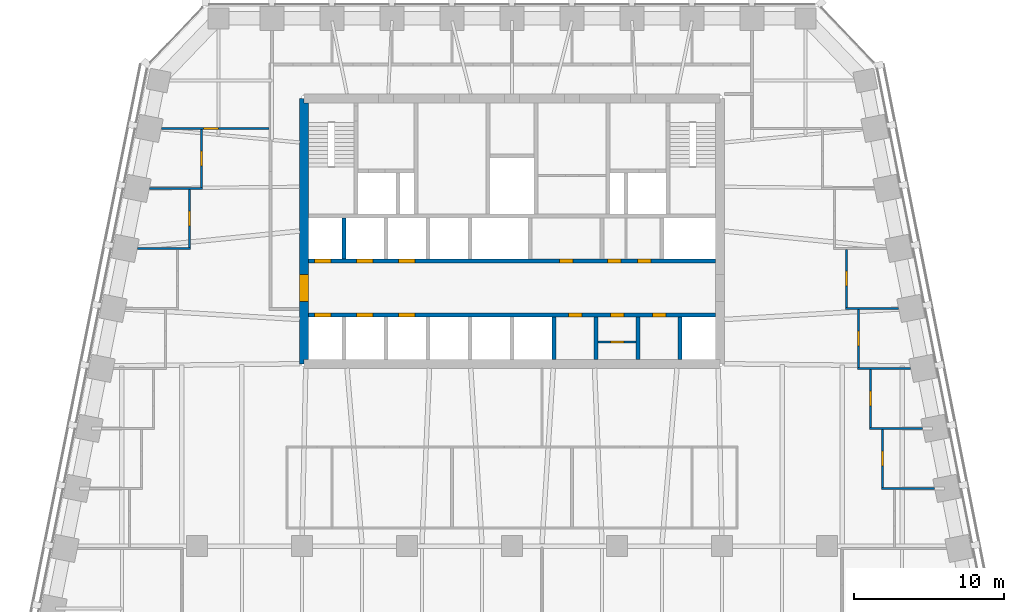
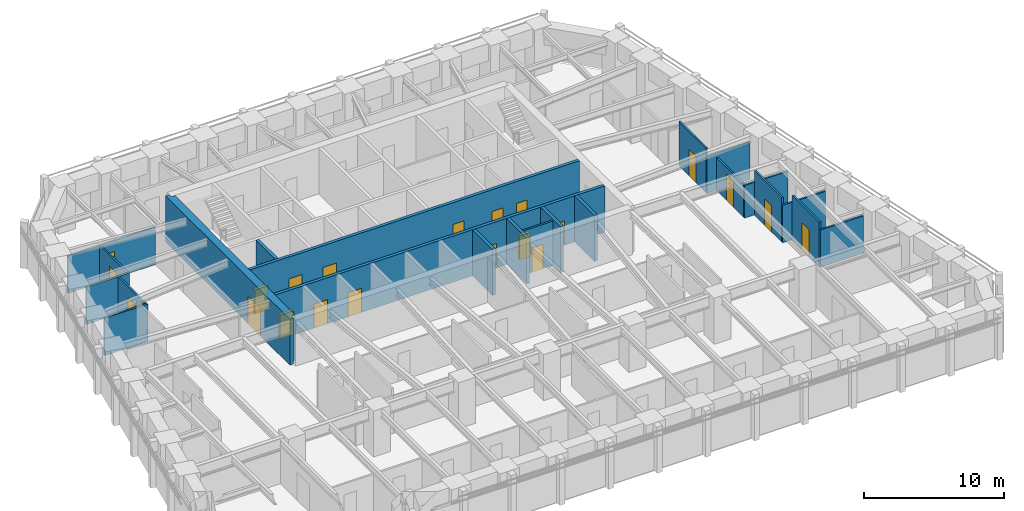
# One storey, part 7 of 11: 22 walls, 21 doors, 21 openings.
"""IFC4 building model written with IfcOpenShell, lengths in metres."""

from ifc_helpers import new_model, si_unit, direction, frame, frame_2d, origin, place, context, subcontext, project, spatial, polyline, rectangle, outline, extrude, material, layer, layer_set, type_object, element, fill, save


model = new_model("IFC4")

# Units and contexts
model_context = context("Model", 3, precision=1e-05, world=origin(), true_north=direction((0.0, 1.0)))
body_context = subcontext(model_context, "Body", "Model", "MODEL_VIEW")
ifc_project = project(units=[si_unit("LENGTHUNIT", "METRE"), si_unit("AREAUNIT", "SQUARE_METRE"), si_unit("VOLUMEUNIT", "CUBIC_METRE"), si_unit("PLANEANGLEUNIT", "RADIAN"), si_unit("MASSUNIT", "GRAM", prefix="KILO")], contexts=[model_context])

# Site, building, storey
site_placement = place(None, origin())
site = spatial("IfcSite", under=ifc_project, at=site_placement, CompositionType="ELEMENT")
building_placement = place(site_placement, origin())
building = spatial("IfcBuilding", under=site, at=building_placement, Name="Isbrekke Arena Tower", CompositionType="ELEMENT")
storey_placement = place(building_placement, frame((0.0, 0.0, 210.0)))
storey = spatial("IfcBuildingStorey", under=building, at=storey_placement, Name="L48", CompositionType="ELEMENT", Elevation=210.0)

# Wall, opening, door
ifc_material_1 = material(Name="Concrete B55 (C55/67)", Category="concrete")
ifc_layer_1 = layer(ifc_material_1, 0.60009765625)
ifc_layer_set_1 = layer_set([ifc_layer_1], Name="CW4 CORE WALL 600")
wall_type_1 = type_object("IfcWallType", Name="CW4 CORE WALL 600", PredefinedType="SHEAR", material=ifc_layer_set_1)
wall_1_placement = place(storey_placement, frame((-13.85009765625, 23.85009765625, 0.0), z_axis=(0.0, 0.0, 1.0), x_axis=(0.0, -1.0, 0.0)))
wall_1 = element("IfcWall", 1, at=wall_1_placement, inside=storey, type_object=wall_type_1, Name="Core wall W L48", PredefinedType="SHEAR", context=body_context, shape_type="SweptSolid", body=[
    extrude(outline(polyline([(0.0, -0.300048828125), (17.7001953125, -0.300048828125), (17.7001953125, 0.0), (17.400146484375, 0.0), (17.400146484375, 0.300048828125), (0.300048828125, 0.300048828125), (0.300048828125, 0.0), (0.0, 0.0), (0.0, -0.300048828125)])), origin(), (0.0, 0.0, 1.0), 4.0),
])
opening_1_placement = place(wall_1_placement, frame((11.75, 0.0, 0.0)))
opening_1 = element("IfcOpeningElement", 2, at=opening_1_placement, cuts=wall_1, Name="Opening D1", PredefinedType="OPENING", context=body_context, shape_type="SweptSolid", body=[
    extrude(rectangle(XDim=1.800048828125, YDim=2.39990234375, at=frame_2d((0.89990234375, 1.199951171875))), frame((0.0, 0.31494140625, 0.0), z_axis=(0.0, -1.0, 0.0), x_axis=(1.0, 0.0, 0.0)), (0.0, 0.0, 1.0), 0.6298828125),
])
ifc_material_2 = material(Name="Steel-framed glazed fire door", Category="steel")
door_type_1 = type_object("IfcDoorType", Name="D1 CORE LOBBY DOOR 1800 x 2400", OperationType="DOUBLE_DOOR_SINGLE_SWING", PredefinedType="DOOR", material=ifc_material_2)
door_1_placement = place(opening_1_placement, origin())
door_1 = element("IfcDoor", 3, at=door_1_placement, inside=storey, type_object=door_type_1, Name="D1 lift lobby door west L48", OperationType="DOUBLE_DOOR_SINGLE_SWING", OverallHeight=2.39990234375, OverallWidth=1.800048828125, PredefinedType="DOOR", context=body_context, shape_type="SweptSolid", body=[
    extrude(rectangle(XDim=1.800048828125, YDim=2.39990234375, at=frame_2d((0.89990234375, 1.199951171875))), frame((0.0, 0.2998046875, 0.0), z_axis=(0.0, -1.0, 0.0), x_axis=(1.0, 0.0, 0.0)), (0.0, 0.0, 1.0), 0.599609375),
])
fill(opening_1, door_1)

# Wall, openings, doors
ifc_material_3 = material(Name="Concrete B45 (C45/55)", Category="concrete")
ifc_layer_2 = layer(ifc_material_3, 0.25)
ifc_layer_set_2 = layer_set([ifc_layer_2], Name="CW6 SHAFT WALL 250")
wall_type_2 = type_object("IfcWallType", Name="CW6 SHAFT WALL 250", PredefinedType="SHEAR", material=ifc_layer_set_2)
wall_2_placement = place(storey_placement, frame((-13.550048828125, 9.39990234375, 0.0), z_axis=(0.0, 0.0, 1.0), x_axis=(1.0, 0.0, 0.0)))
wall_2 = element("IfcWall", 4, at=wall_2_placement, inside=storey, type_object=wall_type_2, Name="Core wall LS L48", PredefinedType="SHEAR", context=body_context, shape_type="SweptSolid", body=[
    extrude(rectangle(XDim=27.10009765625, YDim=0.25, at=frame_2d((13.550048828125, 0.0))), origin(), (0.0, 0.0, 1.0), 4.0),
])
opening_2_placement = place(wall_2_placement, frame((0.39990234375, 0.0, 0.0)))
opening_2 = element("IfcOpeningElement", 5, at=opening_2_placement, cuts=wall_2, Name="Opening LD1", PredefinedType="OPENING", context=body_context, shape_type="SweptSolid", body=[
    extrude(rectangle(XDim=1.10009765625, YDim=2.10009765625, at=frame_2d((0.550048828125, 1.050048828125))), frame((0.0, 0.139892578125, 0.0), z_axis=(0.0, -1.0, 0.0), x_axis=(1.0, 0.0, 0.0)), (0.0, 0.0, 1.0), 0.27978515625),
])
opening_3_placement = place(wall_2_placement, frame((3.199951171875, 0.0, 0.0)))
opening_3 = element("IfcOpeningElement", 6, at=opening_3_placement, cuts=wall_2, Name="Opening LD1", PredefinedType="OPENING", context=body_context, shape_type="SweptSolid", body=[
    extrude(rectangle(XDim=1.10009765625, YDim=2.10009765625, at=frame_2d((0.550048828125, 1.050048828125))), frame((0.0, 0.139892578125, 0.0), z_axis=(0.0, -1.0, 0.0), x_axis=(1.0, 0.0, 0.0)), (0.0, 0.0, 1.0), 0.27978515625),
])
opening_4_placement = place(wall_2_placement, frame((6.0, 0.0, 0.0)))
opening_4 = element("IfcOpeningElement", 7, at=opening_4_placement, cuts=wall_2, Name="Opening LD1", PredefinedType="OPENING", context=body_context, shape_type="SweptSolid", body=[
    extrude(rectangle(XDim=1.10009765625, YDim=2.10009765625, at=frame_2d((0.550048828125, 1.050048828125))), frame((0.0, 0.139892578125, 0.0), z_axis=(0.0, -1.0, 0.0), x_axis=(1.0, 0.0, 0.0)), (0.0, 0.0, 1.0), 0.27978515625),
])
opening_5_placement = place(wall_2_placement, frame((17.300048828125, 0.0, 0.0)))
opening_5 = element("IfcOpeningElement", 8, at=opening_5_placement, cuts=wall_2, Name="Opening D5", PredefinedType="OPENING", context=body_context, shape_type="SweptSolid", body=[
    extrude(rectangle(XDim=0.89990234375, YDim=2.10009765625, at=frame_2d((0.449951171875, 1.050048828125))), frame((0.0, 0.139892578125, 0.0), z_axis=(0.0, -1.0, 0.0), x_axis=(1.0, 0.0, 0.0)), (0.0, 0.0, 1.0), 0.27978515625),
])
opening_6_placement = place(wall_2_placement, frame((20.10009765625, 0.0, 0.0)))
opening_6 = element("IfcOpeningElement", 9, at=opening_6_placement, cuts=wall_2, Name="Opening D5", PredefinedType="OPENING", context=body_context, shape_type="SweptSolid", body=[
    extrude(rectangle(XDim=0.89990234375, YDim=2.10009765625, at=frame_2d((0.449951171875, 1.050048828125))), frame((0.0, 0.139892578125, 0.0), z_axis=(0.0, -1.0, 0.0), x_axis=(1.0, 0.0, 0.0)), (0.0, 0.0, 1.0), 0.27978515625),
])
opening_7_placement = place(wall_2_placement, frame((22.89990234375, 0.0, 0.0)))
opening_7 = element("IfcOpeningElement", 10, at=opening_7_placement, cuts=wall_2, Name="Opening D5", PredefinedType="OPENING", context=body_context, shape_type="SweptSolid", body=[
    extrude(rectangle(XDim=0.89990234375, YDim=2.10009765625, at=frame_2d((0.449951171875, 1.050048828125))), frame((0.0, 0.139892578125, 0.0), z_axis=(0.0, -1.0, 0.0), x_axis=(1.0, 0.0, 0.0)), (0.0, 0.0, 1.0), 0.27978515625),
])
ifc_material_4 = material(Name="Steel fire door", Category="steel")
door_type_2 = type_object("IfcDoorType", Name="D5 SERVICE DOOR 900 x 2100", OperationType="SINGLE_SWING_LEFT", PredefinedType="DOOR", material=ifc_material_4)
door_2_placement = place(opening_5_placement, origin())
door_2 = element("IfcDoor", 11, at=door_2_placement, inside=storey, type_object=door_type_2, Name="D5 archive door L48", OperationType="SINGLE_SWING_LEFT", OverallHeight=2.10009765625, OverallWidth=0.89990234375, PredefinedType="DOOR", context=body_context, shape_type="SweptSolid", body=[
    extrude(rectangle(XDim=0.89990234375, YDim=2.10009765625, at=frame_2d((0.449951171875, 1.050048828125))), frame((0.0, 0.124755859375, 0.0), z_axis=(0.0, -1.0, 0.0), x_axis=(1.0, 0.0, 0.0)), (0.0, 0.0, 1.0), 0.24951171875),
])
fill(opening_5, door_2)
door_3_placement = place(opening_6_placement, origin())
door_3 = element("IfcDoor", 12, at=door_3_placement, inside=storey, type_object=door_type_2, Name="D5 mothers' room door L48", OperationType="SINGLE_SWING_LEFT", OverallHeight=2.10009765625, OverallWidth=0.89990234375, PredefinedType="DOOR", context=body_context, shape_type="SweptSolid", body=[
    extrude(rectangle(XDim=0.89990234375, YDim=2.10009765625, at=frame_2d((0.449951171875, 1.050048828125))), frame((0.0, 0.124755859375, 0.0), z_axis=(0.0, -1.0, 0.0), x_axis=(1.0, 0.0, 0.0)), (0.0, 0.0, 1.0), 0.24951171875),
])
fill(opening_6, door_3)
door_4_placement = place(opening_7_placement, origin())
door_4 = element("IfcDoor", 13, at=door_4_placement, inside=storey, type_object=door_type_2, Name="D5 technical room door L48", OperationType="SINGLE_SWING_LEFT", OverallHeight=2.10009765625, OverallWidth=0.89990234375, PredefinedType="DOOR", context=body_context, shape_type="SweptSolid", body=[
    extrude(rectangle(XDim=0.89990234375, YDim=2.10009765625, at=frame_2d((0.449951171875, 1.050048828125))), frame((0.0, 0.124755859375, 0.0), z_axis=(0.0, -1.0, 0.0), x_axis=(1.0, 0.0, 0.0)), (0.0, 0.0, 1.0), 0.24951171875),
])
fill(opening_7, door_4)
ifc_material_5 = material(Name="Stainless steel lift landing door", Category="steel")
door_type_3 = type_object("IfcDoorType", Name="LD1 LIFT LANDING DOOR 1100 x 2100", OperationType="SLIDING_TO_LEFT", PredefinedType="DOOR", material=ifc_material_5)
door_5_placement = place(opening_2_placement, origin())
door_5 = element("IfcDoor", 14, at=door_5_placement, inside=storey, type_object=door_type_3, Name="LD1 lift landing door LC L48", OperationType="SLIDING_TO_LEFT", OverallHeight=2.10009765625, OverallWidth=1.10009765625, PredefinedType="DOOR", context=body_context, shape_type="SweptSolid", body=[
    extrude(rectangle(XDim=1.10009765625, YDim=2.10009765625, at=frame_2d((0.550048828125, 1.050048828125))), frame((0.0, 0.124755859375, 0.0), z_axis=(0.0, -1.0, 0.0), x_axis=(1.0, 0.0, 0.0)), (0.0, 0.0, 1.0), 0.24951171875),
])
fill(opening_2, door_5)
door_6_placement = place(opening_3_placement, origin())
door_6 = element("IfcDoor", 15, at=door_6_placement, inside=storey, type_object=door_type_3, Name="LD1 lift landing door LC L48", OperationType="SLIDING_TO_LEFT", OverallHeight=2.10009765625, OverallWidth=1.10009765625, PredefinedType="DOOR", context=body_context, shape_type="SweptSolid", body=[
    extrude(rectangle(XDim=1.10009765625, YDim=2.10009765625, at=frame_2d((0.550048828125, 1.050048828125))), frame((0.0, 0.124755859375, 0.0), z_axis=(0.0, -1.0, 0.0), x_axis=(1.0, 0.0, 0.0)), (0.0, 0.0, 1.0), 0.24951171875),
])
fill(opening_3, door_6)
door_7_placement = place(opening_4_placement, origin())
door_7 = element("IfcDoor", 16, at=door_7_placement, inside=storey, type_object=door_type_3, Name="LD1 lift landing door LC L48", OperationType="SLIDING_TO_LEFT", OverallHeight=2.10009765625, OverallWidth=1.10009765625, PredefinedType="DOOR", context=body_context, shape_type="SweptSolid", body=[
    extrude(rectangle(XDim=1.10009765625, YDim=2.10009765625, at=frame_2d((0.550048828125, 1.050048828125))), frame((0.0, 0.124755859375, 0.0), z_axis=(0.0, -1.0, 0.0), x_axis=(1.0, 0.0, 0.0)), (0.0, 0.0, 1.0), 0.24951171875),
])
fill(opening_4, door_7)

wall_3_placement = place(storey_placement, frame((-13.550048828125, 13.0, 0.0), z_axis=(0.0, 0.0, 1.0), x_axis=(1.0, 0.0, 0.0)))
wall_3 = element("IfcWall", 17, at=wall_3_placement, inside=storey, type_object=wall_type_2, Name="Core wall LN L48", PredefinedType="SHEAR", context=body_context, shape_type="SweptSolid", body=[
    extrude(rectangle(XDim=27.10009765625, YDim=0.25, at=frame_2d((13.550048828125, 0.0))), origin(), (0.0, 0.0, 1.0), 4.0),
])
opening_8_placement = place(wall_3_placement, frame((0.39990234375, 0.0, 0.0)))
opening_8 = element("IfcOpeningElement", 18, at=opening_8_placement, cuts=wall_3, Name="Opening LD1", PredefinedType="OPENING", context=body_context, shape_type="SweptSolid", body=[
    extrude(rectangle(XDim=1.10009765625, YDim=2.10009765625, at=frame_2d((0.550048828125, 1.050048828125))), frame((0.0, 0.139892578125, 0.0), z_axis=(0.0, -1.0, 0.0), x_axis=(1.0, 0.0, 0.0)), (0.0, 0.0, 1.0), 0.27978515625),
])
opening_9_placement = place(wall_3_placement, frame((3.199951171875, 0.0, 0.0)))
opening_9 = element("IfcOpeningElement", 19, at=opening_9_placement, cuts=wall_3, Name="Opening LD1", PredefinedType="OPENING", context=body_context, shape_type="SweptSolid", body=[
    extrude(rectangle(XDim=1.10009765625, YDim=2.10009765625, at=frame_2d((0.550048828125, 1.050048828125))), frame((0.0, 0.139892578125, 0.0), z_axis=(0.0, -1.0, 0.0), x_axis=(1.0, 0.0, 0.0)), (0.0, 0.0, 1.0), 0.27978515625),
])
opening_10_placement = place(wall_3_placement, frame((6.0, 0.0, 0.0)))
opening_10 = element("IfcOpeningElement", 20, at=opening_10_placement, cuts=wall_3, Name="Opening LD1", PredefinedType="OPENING", context=body_context, shape_type="SweptSolid", body=[
    extrude(rectangle(XDim=1.10009765625, YDim=2.10009765625, at=frame_2d((0.550048828125, 1.050048828125))), frame((0.0, 0.139892578125, 0.0), z_axis=(0.0, -1.0, 0.0), x_axis=(1.0, 0.0, 0.0)), (0.0, 0.0, 1.0), 0.27978515625),
])
opening_11_placement = place(wall_3_placement, frame((16.699951171875, 0.0, 0.0)))
opening_11 = element("IfcOpeningElement", 21, at=opening_11_placement, cuts=wall_3, Name="Opening D5", PredefinedType="OPENING", context=body_context, shape_type="SweptSolid", body=[
    extrude(rectangle(XDim=0.89990234375, YDim=2.10009765625, at=frame_2d((0.449951171875, 1.050048828125))), frame((0.0, 0.139892578125, 0.0), z_axis=(0.0, -1.0, 0.0), x_axis=(1.0, 0.0, 0.0)), (0.0, 0.0, 1.0), 0.27978515625),
])
opening_12_placement = place(wall_3_placement, frame((19.89990234375, 0.0, 0.0)))
opening_12 = element("IfcOpeningElement", 22, at=opening_12_placement, cuts=wall_3, Name="Opening D5", PredefinedType="OPENING", context=body_context, shape_type="SweptSolid", body=[
    extrude(rectangle(XDim=0.89990234375, YDim=2.10009765625, at=frame_2d((0.449951171875, 1.050048828125))), frame((0.0, 0.139892578125, 0.0), z_axis=(0.0, -1.0, 0.0), x_axis=(1.0, 0.0, 0.0)), (0.0, 0.0, 1.0), 0.27978515625),
])
opening_13_placement = place(wall_3_placement, frame((21.89990234375, 0.0, 0.0)))
opening_13 = element("IfcOpeningElement", 23, at=opening_13_placement, cuts=wall_3, Name="Opening D5", PredefinedType="OPENING", context=body_context, shape_type="SweptSolid", body=[
    extrude(rectangle(XDim=0.89990234375, YDim=2.10009765625, at=frame_2d((0.449951171875, 1.050048828125))), frame((0.0, 0.139892578125, 0.0), z_axis=(0.0, -1.0, 0.0), x_axis=(1.0, 0.0, 0.0)), (0.0, 0.0, 1.0), 0.27978515625),
])
door_8_placement = place(opening_11_placement, origin())
door_8 = element("IfcDoor", 24, at=door_8_placement, inside=storey, type_object=door_type_2, Name="D5 meeting room door L48", OperationType="SINGLE_SWING_LEFT", OverallHeight=2.10009765625, OverallWidth=0.89990234375, PredefinedType="DOOR", context=body_context, shape_type="SweptSolid", body=[
    extrude(rectangle(XDim=0.89990234375, YDim=2.10009765625, at=frame_2d((0.449951171875, 1.050048828125))), frame((0.0, 0.124755859375, 0.0), z_axis=(0.0, -1.0, 0.0), x_axis=(1.0, 0.0, 0.0)), (0.0, 0.0, 1.0), 0.24951171875),
])
fill(opening_11, door_8)
door_9_placement = place(opening_12_placement, origin())
door_9 = element("IfcDoor", 25, at=door_9_placement, inside=storey, type_object=door_type_2, Name="D5 cleaner's store door L48", OperationType="SINGLE_SWING_LEFT", OverallHeight=2.10009765625, OverallWidth=0.89990234375, PredefinedType="DOOR", context=body_context, shape_type="SweptSolid", body=[
    extrude(rectangle(XDim=0.89990234375, YDim=2.10009765625, at=frame_2d((0.449951171875, 1.050048828125))), frame((0.0, 0.124755859375, 0.0), z_axis=(0.0, -1.0, 0.0), x_axis=(1.0, 0.0, 0.0)), (0.0, 0.0, 1.0), 0.24951171875),
])
fill(opening_12, door_9)
door_10_placement = place(opening_13_placement, origin())
door_10 = element("IfcDoor", 26, at=door_10_placement, inside=storey, type_object=door_type_2, Name="D5 communications room door L48", OperationType="SINGLE_SWING_LEFT", OverallHeight=2.10009765625, OverallWidth=0.89990234375, PredefinedType="DOOR", context=body_context, shape_type="SweptSolid", body=[
    extrude(rectangle(XDim=0.89990234375, YDim=2.10009765625, at=frame_2d((0.449951171875, 1.050048828125))), frame((0.0, 0.124755859375, 0.0), z_axis=(0.0, -1.0, 0.0), x_axis=(1.0, 0.0, 0.0)), (0.0, 0.0, 1.0), 0.24951171875),
])
fill(opening_13, door_10)
door_11_placement = place(opening_8_placement, origin())
door_11 = element("IfcDoor", 27, at=door_11_placement, inside=storey, type_object=door_type_3, Name="LD1 lift landing door LC L48", OperationType="SLIDING_TO_LEFT", OverallHeight=2.10009765625, OverallWidth=1.10009765625, PredefinedType="DOOR", context=body_context, shape_type="SweptSolid", body=[
    extrude(rectangle(XDim=1.10009765625, YDim=2.10009765625, at=frame_2d((0.550048828125, 1.050048828125))), frame((0.0, 0.124755859375, 0.0), z_axis=(0.0, -1.0, 0.0), x_axis=(1.0, 0.0, 0.0)), (0.0, 0.0, 1.0), 0.24951171875),
])
fill(opening_8, door_11)
door_12_placement = place(opening_9_placement, origin())
door_12 = element("IfcDoor", 28, at=door_12_placement, inside=storey, type_object=door_type_3, Name="LD1 lift landing door LC L48", OperationType="SLIDING_TO_LEFT", OverallHeight=2.10009765625, OverallWidth=1.10009765625, PredefinedType="DOOR", context=body_context, shape_type="SweptSolid", body=[
    extrude(rectangle(XDim=1.10009765625, YDim=2.10009765625, at=frame_2d((0.550048828125, 1.050048828125))), frame((0.0, 0.124755859375, 0.0), z_axis=(0.0, -1.0, 0.0), x_axis=(1.0, 0.0, 0.0)), (0.0, 0.0, 1.0), 0.24951171875),
])
fill(opening_9, door_12)
door_13_placement = place(opening_10_placement, origin())
door_13 = element("IfcDoor", 29, at=door_13_placement, inside=storey, type_object=door_type_3, Name="LD1 lift landing door LC L48", OperationType="SLIDING_TO_LEFT", OverallHeight=2.10009765625, OverallWidth=1.10009765625, PredefinedType="DOOR", context=body_context, shape_type="SweptSolid", body=[
    extrude(rectangle(XDim=1.10009765625, YDim=2.10009765625, at=frame_2d((0.550048828125, 1.050048828125))), frame((0.0, 0.124755859375, 0.0), z_axis=(0.0, -1.0, 0.0), x_axis=(1.0, 0.0, 0.0)), (0.0, 0.0, 1.0), 0.24951171875),
])
fill(opening_10, door_13)

# Walls
for number, where, z_axis, x_axis, name in (
    (30, (2.800048828125, 6.449951171875, 0.0), (0.0, 0.0, 1.0), (0.0, 1.0, 0.0), "Core wall SS06 L48"),
    (31, (5.60009765625, 6.449951171875, 0.0), (0.0, 0.0, 1.0), (0.0, 1.0, 0.0), "Core wall SS07 L48"),
    (32, (8.39990234375, 6.449951171875, 0.0), (0.0, 0.0, 1.0), (0.0, 1.0, 0.0), "Core wall SS08 L48"),
    (33, (11.199951171875, 6.449951171875, 0.0), (0.0, 0.0, 1.0), (0.0, 1.0, 0.0), "Core wall SS09 L48"),
):
    element("IfcWall", number, at=place(storey_placement, frame(where, z_axis=z_axis, x_axis=x_axis)), inside=storey, type_object=wall_type_2, Name=name, PredefinedType="SHEAR", context=body_context, shape_type="SweptSolid", body=[
        extrude(rectangle(XDim=2.824951171875, YDim=0.25, at=frame_2d((1.41259765625, 0.0))), origin(), (0.0, 0.0, 1.0), 4.0),
    ])
wall_4_placement = place(storey_placement, frame((-11.199951171875, 13.125, 0.0), z_axis=(0.0, 0.0, 1.0), x_axis=(0.0, 1.0, 0.0)))
element("IfcWall", 34, at=wall_4_placement, inside=storey, type_object=wall_type_2, Name="Core wall SN01 L48", PredefinedType="SHEAR", context=body_context, shape_type="SweptSolid", body=[
    extrude(rectangle(XDim=2.75, YDim=0.25, at=frame_2d((1.375, 0.0))), origin(), (0.0, 0.0, 1.0), 4.0),
])
ifc_material_6 = material(Name="Gypsum board partition on steel studs", Category="steel")
ifc_layer_3 = layer(ifc_material_6, 0.14990234375)
ifc_layer_set_3 = layer_set([ifc_layer_3], Name="IW1 PARTITION 150")
wall_type_3 = type_object("IfcWallType", Name="IW1 PARTITION 150", PredefinedType="PARTITIONING", material=ifc_layer_set_3)
for number, where, z_axis, x_axis, name in (
    (35, (24.625, -2.159912109375, 0.0), (0.0, 0.0, 1.0), (1.0, 0.0, 0.0), "IW1 partition 150 L48"),
    (36, (23.824951171875, 1.840087890625, 0.0), (0.0, 0.0, 1.0), (1.0, 0.0, 0.0), "IW1 partition 150 L48"),
):
    element("IfcWall", number, at=place(storey_placement, frame(where, z_axis=z_axis, x_axis=x_axis)), inside=storey, type_object=wall_type_3, Name=name, PredefinedType="PARTITIONING", context=body_context, shape_type="SweptSolid", body=[
        extrude(rectangle(XDim=3.5498046875, YDim=0.14990234375, at=frame_2d((1.77490234375, 0.0))), origin(), (0.0, 0.0, 1.0), 3.25),
    ])
wall_5_placement = place(storey_placement, frame((23.02490234375, 5.840087890625, 0.0), z_axis=(0.0, 0.0, 1.0), x_axis=(1.0, 0.0, 0.0)))
element("IfcWall", 37, at=wall_5_placement, inside=storey, type_object=wall_type_3, Name="IW1 partition 150 L48", PredefinedType="PARTITIONING", context=body_context, shape_type="SweptSolid", body=[
    extrude(rectangle(XDim=3.5498046875, YDim=0.14990234375, at=frame_2d((1.77490234375, 0.0))), origin(), (0.0, 0.0, 1.0), 2.842041015625),
])
for number, where, z_axis, x_axis, name in (
    (38, (22.22509765625, 9.840087890625, 0.0), (0.0, 0.0, 1.0), (1.0, 0.0, 0.0), "IW1 partition 150 L48"),
    (39, (-24.974853515625, 13.840087890625, 0.0), (0.0, 0.0, 1.0), (1.0, 0.0, 0.0), "IW1 partition 150 L48"),
    (40, (-24.1748046875, 17.840087890625, 0.0), (0.0, 0.0, 1.0), (1.0, 0.0, 0.0), "IW1 partition 150 L48"),
):
    element("IfcWall", number, at=place(storey_placement, frame(where, z_axis=z_axis, x_axis=x_axis)), inside=storey, type_object=wall_type_3, Name=name, PredefinedType="PARTITIONING", context=body_context, shape_type="SweptSolid", body=[
        extrude(rectangle(XDim=3.5498046875, YDim=0.14990234375, at=frame_2d((1.77490234375, 0.0))), origin(), (0.0, 0.0, 1.0), 3.25),
    ])

# Wall, opening, door
wall_6_placement = place(storey_placement, frame((-23.374755859375, 21.840087890625, 0.0), z_axis=(0.0, 0.0, 1.0), x_axis=(1.0, 0.0, 0.0)))
wall_6 = element("IfcWall", 41, at=wall_6_placement, inside=storey, type_object=wall_type_3, Name="IW1 partition 150 L48", PredefinedType="PARTITIONING", context=body_context, shape_type="SweptSolid", body=[
    extrude(rectangle(XDim=7.1748046875, YDim=0.14990234375, at=frame_2d((3.58740234375, 0.0))), origin(), (0.0, 0.0, 1.0), 3.25),
])
opening_14_placement = place(wall_6_placement, frame((2.815673828125, 0.0, 0.0)))
opening_14 = element("IfcOpeningElement", 42, at=opening_14_placement, cuts=wall_6, Name="Opening D10", PredefinedType="OPENING", context=body_context, shape_type="SweptSolid", body=[
    extrude(rectangle(XDim=1.0, YDim=2.300048828125, at=frame_2d((0.5, 1.14990234375))), frame((0.0, 0.08984375, 0.0), z_axis=(0.0, -1.0, 0.0), x_axis=(1.0, 0.0, 0.0)), (0.0, 0.0, 1.0), 0.1796875),
])
ifc_material_7 = material(Name="Timber door", Category="wood")
door_type_4 = type_object("IfcDoorType", Name="D10 OFFICE DOOR 1000 x 2300", OperationType="SINGLE_SWING_LEFT", PredefinedType="DOOR", material=ifc_material_7)
door_14_placement = place(opening_14_placement, origin())
door_14 = element("IfcDoor", 43, at=door_14_placement, inside=storey, type_object=door_type_4, Name="D10 office door L48", OperationType="SINGLE_SWING_LEFT", OverallHeight=2.300048828125, OverallWidth=1.0, PredefinedType="DOOR", context=body_context, shape_type="SweptSolid", body=[
    extrude(rectangle(XDim=1.0, YDim=2.300048828125, at=frame_2d((0.5, 1.14990234375))), frame((0.0, 0.07470703125, 0.0), z_axis=(0.0, -1.0, 0.0), x_axis=(1.0, 0.0, 0.0)), (0.0, 0.0, 1.0), 0.1494140625),
])
fill(opening_14, door_14)

wall_7_placement = place(storey_placement, frame((-21.5, 13.9150390625, 0.0), z_axis=(0.0, 0.0, 1.0), x_axis=(0.0, 1.0, 0.0)))
wall_7 = element("IfcWall", 44, at=wall_7_placement, inside=storey, type_object=wall_type_3, Name="IW1 partition 150 L48", PredefinedType="PARTITIONING", context=body_context, shape_type="SweptSolid", body=[
    extrude(rectangle(XDim=3.849853515625, YDim=0.14990234375, at=frame_2d((1.9248046875, 0.0))), origin(), (0.0, 0.0, 1.0), 3.25),
])
opening_15_placement = place(wall_7_placement, frame((1.425048828125, 0.0, 0.0)))
opening_15 = element("IfcOpeningElement", 45, at=opening_15_placement, cuts=wall_7, Name="Opening D10", PredefinedType="OPENING", context=body_context, shape_type="SweptSolid", body=[
    extrude(rectangle(XDim=1.0, YDim=2.300048828125, at=frame_2d((0.5, 1.14990234375))), frame((0.0, 0.08984375, 0.0), z_axis=(0.0, -1.0, 0.0), x_axis=(1.0, 0.0, 0.0)), (0.0, 0.0, 1.0), 0.1796875),
])
door_15_placement = place(opening_15_placement, origin())
door_15 = element("IfcDoor", 46, at=door_15_placement, inside=storey, type_object=door_type_4, Name="D10 office door L48", OperationType="SINGLE_SWING_LEFT", OverallHeight=2.300048828125, OverallWidth=1.0, PredefinedType="DOOR", context=body_context, shape_type="SweptSolid", body=[
    extrude(rectangle(XDim=1.0, YDim=2.300048828125, at=frame_2d((0.5, 1.14990234375))), frame((0.0, 0.07470703125, 0.0), z_axis=(0.0, -1.0, 0.0), x_axis=(1.0, 0.0, 0.0)), (0.0, 0.0, 1.0), 0.1494140625),
])
fill(opening_15, door_15)

wall_8_placement = place(storey_placement, frame((-20.699951171875, 17.9150390625, 0.0), z_axis=(0.0, 0.0, 1.0), x_axis=(0.0, 1.0, 0.0)))
wall_8 = element("IfcWall", 47, at=wall_8_placement, inside=storey, type_object=wall_type_3, Name="IW1 partition 150 L48", PredefinedType="PARTITIONING", context=body_context, shape_type="SweptSolid", body=[
    extrude(rectangle(XDim=3.849853515625, YDim=0.14990234375, at=frame_2d((1.9248046875, 0.0))), origin(), (0.0, 0.0, 1.0), 3.25),
])
opening_16_placement = place(wall_8_placement, frame((1.425048828125, 0.0, 0.0)))
opening_16 = element("IfcOpeningElement", 48, at=opening_16_placement, cuts=wall_8, Name="Opening D10", PredefinedType="OPENING", context=body_context, shape_type="SweptSolid", body=[
    extrude(rectangle(XDim=1.0, YDim=2.300048828125, at=frame_2d((0.5, 1.14990234375))), frame((0.0, 0.08984375, 0.0), z_axis=(0.0, -1.0, 0.0), x_axis=(1.0, 0.0, 0.0)), (0.0, 0.0, 1.0), 0.1796875),
])
door_16_placement = place(opening_16_placement, origin())
door_16 = element("IfcDoor", 49, at=door_16_placement, inside=storey, type_object=door_type_4, Name="D10 office door L48", OperationType="SINGLE_SWING_LEFT", OverallHeight=2.300048828125, OverallWidth=1.0, PredefinedType="DOOR", context=body_context, shape_type="SweptSolid", body=[
    extrude(rectangle(XDim=1.0, YDim=2.300048828125, at=frame_2d((0.5, 1.14990234375))), frame((0.0, 0.07470703125, 0.0), z_axis=(0.0, -1.0, 0.0), x_axis=(1.0, 0.0, 0.0)), (0.0, 0.0, 1.0), 0.1494140625),
])
fill(opening_16, door_16)

wall_9_placement = place(storey_placement, frame((22.300048828125, 9.9150390625, 0.0), z_axis=(0.0, 0.0, 1.0), x_axis=(0.0, 1.0, 0.0)))
wall_9 = element("IfcWall", 50, at=wall_9_placement, inside=storey, type_object=wall_type_3, Name="IW1 partition 150 L48", PredefinedType="PARTITIONING", context=body_context, shape_type="SweptSolid", body=[
    extrude(rectangle(XDim=3.849853515625, YDim=0.14990234375, at=frame_2d((1.9248046875, 0.0))), origin(), (0.0, 0.0, 1.0), 3.85009765625),
])
opening_17_placement = place(wall_9_placement, frame((1.425048828125, 0.0, 0.0)))
opening_17 = element("IfcOpeningElement", 51, at=opening_17_placement, cuts=wall_9, Name="Opening D10", PredefinedType="OPENING", context=body_context, shape_type="SweptSolid", body=[
    extrude(rectangle(XDim=1.0, YDim=2.300048828125, at=frame_2d((0.5, 1.14990234375))), frame((0.0, 0.08984375, 0.0), z_axis=(0.0, -1.0, 0.0), x_axis=(1.0, 0.0, 0.0)), (0.0, 0.0, 1.0), 0.1796875),
])
door_17_placement = place(opening_17_placement, origin())
door_17 = element("IfcDoor", 52, at=door_17_placement, inside=storey, type_object=door_type_4, Name="D10 office door L48", OperationType="SINGLE_SWING_LEFT", OverallHeight=2.300048828125, OverallWidth=1.0, PredefinedType="DOOR", context=body_context, shape_type="SweptSolid", body=[
    extrude(rectangle(XDim=1.0, YDim=2.300048828125, at=frame_2d((0.5, 1.14990234375))), frame((0.0, 0.07470703125, 0.0), z_axis=(0.0, -1.0, 0.0), x_axis=(1.0, 0.0, 0.0)), (0.0, 0.0, 1.0), 0.1494140625),
])
fill(opening_17, door_17)

wall_10_placement = place(storey_placement, frame((23.10009765625, 5.9150390625, 0.0), z_axis=(0.0, 0.0, 1.0), x_axis=(0.0, 1.0, 0.0)))
wall_10 = element("IfcWall", 53, at=wall_10_placement, inside=storey, type_object=wall_type_3, Name="IW1 partition 150 L48", PredefinedType="PARTITIONING", context=body_context, shape_type="SweptSolid", body=[
    extrude(rectangle(XDim=3.849853515625, YDim=0.14990234375, at=frame_2d((1.9248046875, 0.0))), origin(), (0.0, 0.0, 1.0), 2.842041015625),
])
opening_18_placement = place(wall_10_placement, frame((1.425048828125, 0.0, 0.0)))
opening_18 = element("IfcOpeningElement", 54, at=opening_18_placement, cuts=wall_10, Name="Opening D10", PredefinedType="OPENING", context=body_context, shape_type="SweptSolid", body=[
    extrude(rectangle(XDim=1.0, YDim=2.300048828125, at=frame_2d((0.5, 1.14990234375))), frame((0.0, 0.08984375, 0.0), z_axis=(0.0, -1.0, 0.0), x_axis=(1.0, 0.0, 0.0)), (0.0, 0.0, 1.0), 0.1796875),
])
door_18_placement = place(opening_18_placement, origin())
door_18 = element("IfcDoor", 55, at=door_18_placement, inside=storey, type_object=door_type_4, Name="D10 office door L48", OperationType="SINGLE_SWING_LEFT", OverallHeight=2.300048828125, OverallWidth=1.0, PredefinedType="DOOR", context=body_context, shape_type="SweptSolid", body=[
    extrude(rectangle(XDim=1.0, YDim=2.300048828125, at=frame_2d((0.5, 1.14990234375))), frame((0.0, 0.07470703125, 0.0), z_axis=(0.0, -1.0, 0.0), x_axis=(1.0, 0.0, 0.0)), (0.0, 0.0, 1.0), 0.1494140625),
])
fill(opening_18, door_18)

wall_11_placement = place(storey_placement, frame((23.89990234375, 1.9150390625, 0.0), z_axis=(0.0, 0.0, 1.0), x_axis=(0.0, 1.0, 0.0)))
wall_11 = element("IfcWall", 56, at=wall_11_placement, inside=storey, type_object=wall_type_3, Name="IW1 partition 150 L48", PredefinedType="PARTITIONING", context=body_context, shape_type="SweptSolid", body=[
    extrude(rectangle(XDim=3.849853515625, YDim=0.14990234375, at=frame_2d((1.9248046875, 0.0))), origin(), (0.0, 0.0, 1.0), 3.85009765625),
])
opening_19_placement = place(wall_11_placement, frame((1.425048828125, 0.0, 0.0)))
opening_19 = element("IfcOpeningElement", 57, at=opening_19_placement, cuts=wall_11, Name="Opening D10", PredefinedType="OPENING", context=body_context, shape_type="SweptSolid", body=[
    extrude(rectangle(XDim=1.0, YDim=2.300048828125, at=frame_2d((0.5, 1.14990234375))), frame((0.0, 0.08984375, 0.0), z_axis=(0.0, -1.0, 0.0), x_axis=(1.0, 0.0, 0.0)), (0.0, 0.0, 1.0), 0.1796875),
])
door_19_placement = place(opening_19_placement, origin())
door_19 = element("IfcDoor", 58, at=door_19_placement, inside=storey, type_object=door_type_4, Name="D10 office door L48", OperationType="SINGLE_SWING_LEFT", OverallHeight=2.300048828125, OverallWidth=1.0, PredefinedType="DOOR", context=body_context, shape_type="SweptSolid", body=[
    extrude(rectangle(XDim=1.0, YDim=2.300048828125, at=frame_2d((0.5, 1.14990234375))), frame((0.0, 0.07470703125, 0.0), z_axis=(0.0, -1.0, 0.0), x_axis=(1.0, 0.0, 0.0)), (0.0, 0.0, 1.0), 0.1494140625),
])
fill(opening_19, door_19)

wall_12_placement = place(storey_placement, frame((24.699951171875, -2.0849609375, 0.0), z_axis=(0.0, 0.0, 1.0), x_axis=(0.0, 1.0, 0.0)))
wall_12 = element("IfcWall", 59, at=wall_12_placement, inside=storey, type_object=wall_type_3, Name="IW1 partition 150 L48", PredefinedType="PARTITIONING", context=body_context, shape_type="SweptSolid", body=[
    extrude(rectangle(XDim=3.849853515625, YDim=0.14990234375, at=frame_2d((1.9248046875, 0.0))), origin(), (0.0, 0.0, 1.0), 3.85009765625),
])
opening_20_placement = place(wall_12_placement, frame((1.425048828125, 0.0, 0.0)))
opening_20 = element("IfcOpeningElement", 60, at=opening_20_placement, cuts=wall_12, Name="Opening D10", PredefinedType="OPENING", context=body_context, shape_type="SweptSolid", body=[
    extrude(rectangle(XDim=1.0, YDim=2.300048828125, at=frame_2d((0.5, 1.14990234375))), frame((0.0, 0.08984375, 0.0), z_axis=(0.0, -1.0, 0.0), x_axis=(1.0, 0.0, 0.0)), (0.0, 0.0, 1.0), 0.1796875),
])
door_20_placement = place(opening_20_placement, origin())
door_20 = element("IfcDoor", 61, at=door_20_placement, inside=storey, type_object=door_type_4, Name="D10 office door L48", OperationType="SINGLE_SWING_LEFT", OverallHeight=2.300048828125, OverallWidth=1.0, PredefinedType="DOOR", context=body_context, shape_type="SweptSolid", body=[
    extrude(rectangle(XDim=1.0, YDim=2.300048828125, at=frame_2d((0.5, 1.14990234375))), frame((0.0, 0.07470703125, 0.0), z_axis=(0.0, -1.0, 0.0), x_axis=(1.0, 0.0, 0.0)), (0.0, 0.0, 1.0), 0.1494140625),
])
fill(opening_20, door_20)

ifc_material_8 = material(Name="Gypsum board fire-rated partition on steel studs, two layers each side", Category="steel")
ifc_layer_4 = layer(ifc_material_8, 0.14990234375)
ifc_layer_set_4 = layer_set([ifc_layer_4], Name="IW5 FIRE-RATED PARTITION 150")
wall_type_4 = type_object("IfcWallType", Name="IW5 FIRE-RATED PARTITION 150", PredefinedType="PARTITIONING", material=ifc_layer_set_4)
wall_13_placement = place(storey_placement, frame((5.72509765625, 7.60009765625, 0.0), z_axis=(0.0, 0.0, 1.0), x_axis=(1.0, 0.0, 0.0)))
wall_13 = element("IfcWall", 62, at=wall_13_placement, inside=storey, type_object=wall_type_4, Name="IW5 fire-rated partition L48 core service rooms 2", PredefinedType="PARTITIONING", context=body_context, shape_type="SweptSolid", body=[
    extrude(rectangle(XDim=2.5498046875, YDim=0.14990234375, at=frame_2d((1.27490234375, 0.0))), origin(), (0.0, 0.0, 1.0), 3.85009765625),
])
opening_21_placement = place(wall_13_placement, frame((0.824951171875, 0.0, 0.0)))
opening_21 = element("IfcOpeningElement", 63, at=opening_21_placement, cuts=wall_13, Name="Opening D5", PredefinedType="OPENING", context=body_context, shape_type="SweptSolid", body=[
    extrude(rectangle(XDim=0.89990234375, YDim=2.10009765625, at=frame_2d((0.449951171875, 1.050048828125))), frame((0.0, 0.08984375, 0.0), z_axis=(0.0, -1.0, 0.0), x_axis=(1.0, 0.0, 0.0)), (0.0, 0.0, 1.0), 0.1796875),
])
door_21_placement = place(opening_21_placement, origin())
door_21 = element("IfcDoor", 64, at=door_21_placement, inside=storey, type_object=door_type_2, Name="D5 tenant store door L48", OperationType="SINGLE_SWING_LEFT", OverallHeight=2.10009765625, OverallWidth=0.89990234375, PredefinedType="DOOR", context=body_context, shape_type="SweptSolid", body=[
    extrude(rectangle(XDim=0.89990234375, YDim=2.10009765625, at=frame_2d((0.449951171875, 1.050048828125))), frame((0.0, 0.07470703125, 0.0), z_axis=(0.0, -1.0, 0.0), x_axis=(1.0, 0.0, 0.0)), (0.0, 0.0, 1.0), 0.1494140625),
])
fill(opening_21, door_21)

save(model, "model.ifc")
